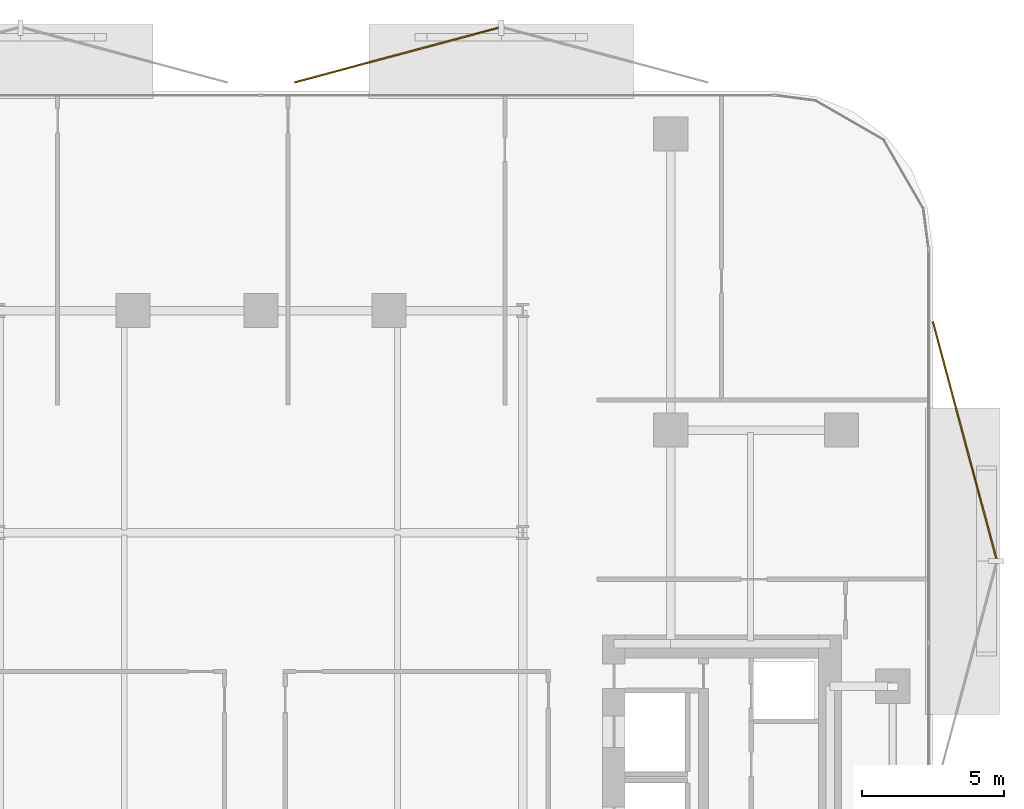
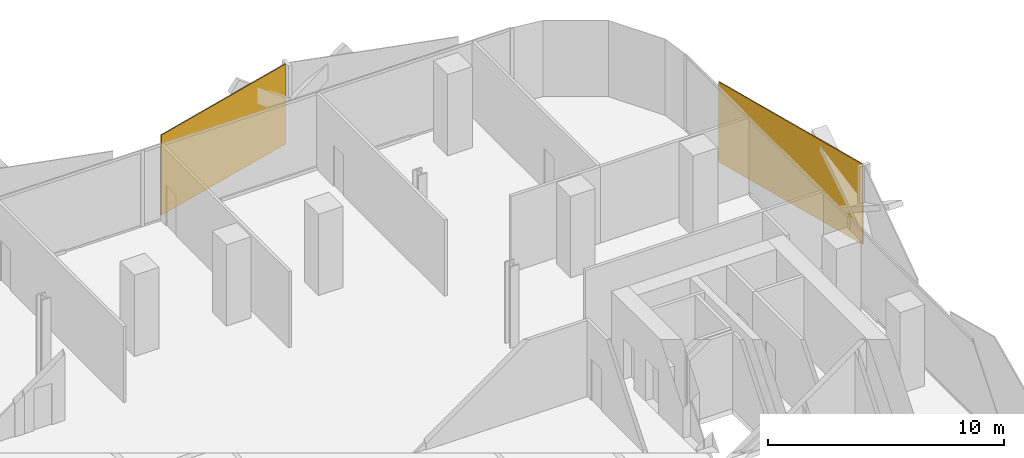
# One storey, part 15 of 15: 2 coverings.
"""IFC4 building model written with IfcOpenShell, lengths in metres."""

from ifc_helpers import new_model, si_unit, direction, frame, origin, origin_2d, place, context, subcontext, project, spatial, rectangle, extrude, material, layer, layer_set, type_object, element, save


model = new_model("IFC4")

# Units and contexts
model_context = context("Model", 3, precision=1e-05, world=origin(), true_north=direction((0.0, 1.0)))
body_context = subcontext(model_context, "Body", "Model", "MODEL_VIEW")
ifc_project = project(units=[si_unit("LENGTHUNIT", "METRE"), si_unit("AREAUNIT", "SQUARE_METRE"), si_unit("VOLUMEUNIT", "CUBIC_METRE"), si_unit("PLANEANGLEUNIT", "RADIAN"), si_unit("MASSUNIT", "GRAM", prefix="KILO")], contexts=[model_context])

# Site, building, storey
site_placement = place(None, origin())
site = spatial("IfcSite", under=ifc_project, at=site_placement, CompositionType="ELEMENT")
building_placement = place(site_placement, origin())
building = spatial("IfcBuilding", under=site, at=building_placement, Name="Khairoan Windgate Tower", CompositionType="ELEMENT")
storey_placement = place(building_placement, frame((0.0, 0.0, 135.199951171875)))
storey = spatial("IfcBuildingStorey", under=building, at=storey_placement, Name="L31", CompositionType="ELEMENT", Elevation=135.199951171875)

# Coverings
ifc_material = material(Name="Anodised Bronze Aluminium 6063-T6", Category="aluminium")
ifc_layer = layer(ifc_material, 0.054931640625, Name="Anodised Bronze Aluminium 6063-T6")
ifc_layer_set = layer_set([ifc_layer], Name="Anodised Bronze Aluminium 6063-T6")
covering_type = type_object("IfcCoveringType", Name="Perforated Bronze-Ceramic Folded Solar Screen Cladding BSC-1", PredefinedType="CLADDING", material=ifc_layer_set)
covering_1_placement = place(storey_placement, frame((4.76611328125, 27.578125, -0.10009765625), z_axis=(0.0, 0.0, 1.0), x_axis=(0.965925826289, 0.258819045103, 0.0)))
element("IfcCovering", 1, at=covering_1_placement, inside=storey, type_object=covering_type, Name="L31 Folded Bronze Solar Screen Facet 198L", PredefinedType="CLADDING", context=body_context, shape_type="SweptSolid", body=[
    extrude(rectangle(XDim=7.431884765625, YDim=0.054931640625, at=origin_2d()), origin(), (0.0, 0.0, 1.0), 4.139892578125),
])
covering_2_placement = place(storey_placement, frame((24.724609375, 14.048583984375, -0.10009765625), z_axis=(0.0, 0.0, 1.0), x_axis=(0.258819045103, -0.965925826289, 0.0)))
element("IfcCovering", 2, at=covering_2_placement, inside=storey, type_object=covering_type, Name="L31 Folded Bronze Solar Screen Facet 199L", PredefinedType="CLADDING", context=body_context, shape_type="SweptSolid", body=[
    extrude(rectangle(XDim=8.6201171875, YDim=0.054931640625, at=origin_2d()), origin(), (0.0, 0.0, 1.0), 4.139892578125),
])

save(model, "model.ifc")
